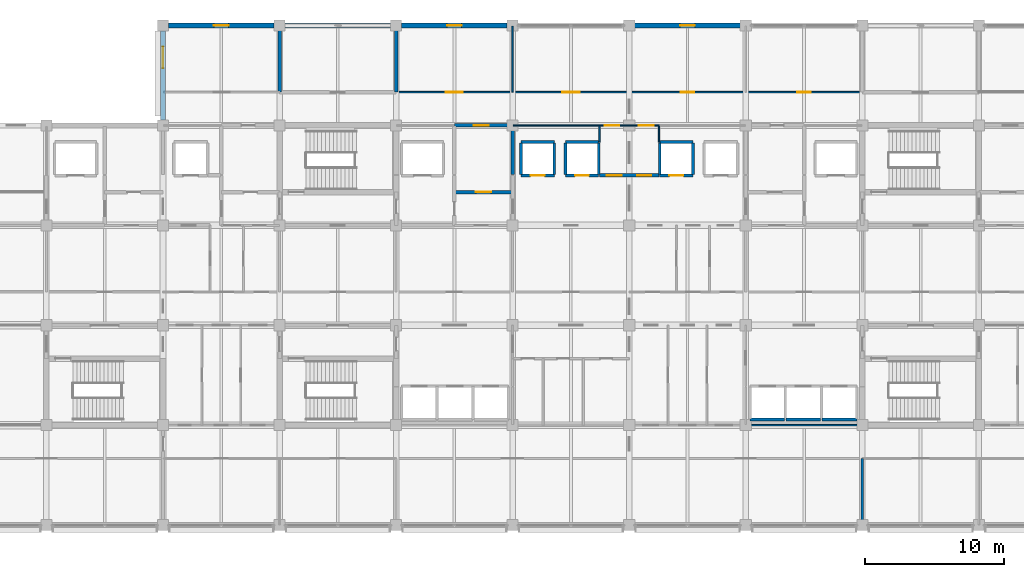
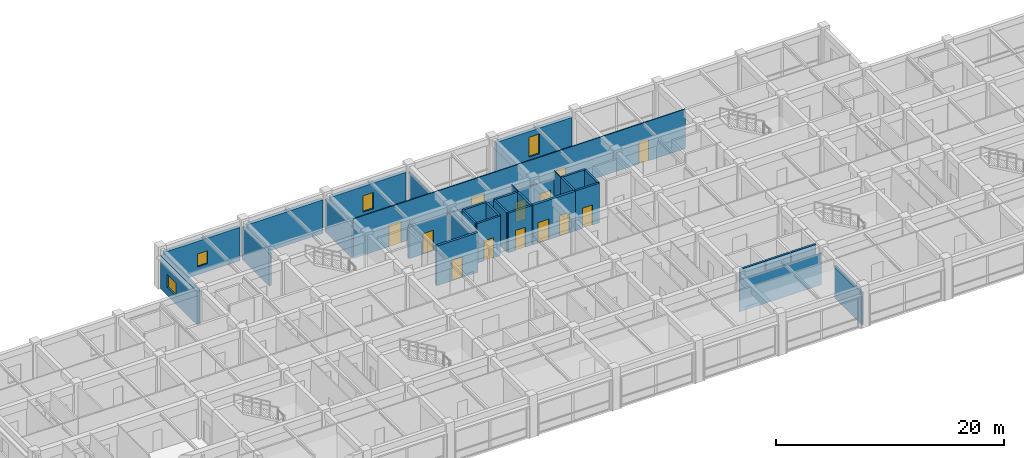
# One storey, part 20 of 30: 34 walls, 13 doors, 4 windows, 17 openings.
"""IFC4 building model written with IfcOpenShell, lengths in metres."""

from ifc_helpers import new_model, si_unit, direction, frame, frame_2d, origin, place, context, subcontext, project, spatial, rectangle, extrude, material, layer, layer_set, type_object, element, fill, save


model = new_model("IFC4")

# Units and contexts
model_context = context("Model", 3, precision=1e-05, world=origin(), true_north=direction((0.0, 1.0)))
body_context = subcontext(model_context, "Body", "Model", "MODEL_VIEW")
ifc_project = project(units=[si_unit("LENGTHUNIT", "METRE"), si_unit("AREAUNIT", "SQUARE_METRE"), si_unit("VOLUMEUNIT", "CUBIC_METRE"), si_unit("PLANEANGLEUNIT", "RADIAN"), si_unit("MASSUNIT", "GRAM", prefix="KILO")], contexts=[model_context])

# Site, building, storey
site_placement = place(None, origin())
site = spatial("IfcSite", under=ifc_project, at=site_placement, CompositionType="ELEMENT")
building_placement = place(site_placement, origin())
building = spatial("IfcBuilding", under=site, at=building_placement, Name="Chengyuan Square Courthouse", CompositionType="ELEMENT")
storey_placement = place(building_placement, frame((0.0, 0.0, 26.10009765625)))
storey = spatial("IfcBuildingStorey", under=building, at=storey_placement, Name="L06", CompositionType="ELEMENT", Elevation=26.10009765625)

# Wall, opening, window
ifc_material_1 = material(Name="Concrete C40", Category="concrete")
ifc_layer_1 = layer(ifc_material_1, 0.35009765625)
ifc_layer_set_1 = layer_set([ifc_layer_1], Name="Concrete C40")
wall_type_1 = type_object("IfcWallType", Name="WL-EW2", PredefinedType="STANDARD", material=ifc_layer_set_1)
wall_1_placement = place(storey_placement, frame((50.794921875, 115.199951171875, 0.0), z_axis=(0.0, 0.0, 1.0), x_axis=(1.0, 0.0, 0.0)))
wall_1 = element("IfcWall", 1, at=wall_1_placement, inside=storey, type_object=wall_type_1, Name="Exterior Wall WL-L06-E364", PredefinedType="STANDARD", context=body_context, shape_type="SweptSolid", body=[
    extrude(rectangle(XDim=7.610107421875, YDim=0.35009765625, at=frame_2d((3.80517578125, 0.0))), origin(), (0.0, 0.0, 1.0), 3.58984375),
])
opening_1_placement = place(wall_1_placement, frame((3.280029296875, 0.0, 0.85009765625)))
opening_1 = element("IfcOpeningElement", 2, at=opening_1_placement, cuts=wall_1, Name="Opening WN-129", PredefinedType="OPENING", context=body_context, shape_type="SweptSolid", body=[
    extrude(rectangle(XDim=1.050048828125, YDim=1.3798828125, at=frame_2d((0.52490234375, 0.68994140625))), frame((0.0, 0.18701171875, 0.0), z_axis=(0.0, -1.0, 0.0), x_axis=(1.0, 0.0, 0.0)), (0.0, 0.0, 1.0), 0.3740234375),
])
ifc_material_2 = material(Name="Thermally Broken Aluminium Triple Low-E Window", Category="aluminium")
window_type_1 = type_object("IfcWindowType", Name="WT-08", PartitioningType="SINGLE_PANEL", PredefinedType="WINDOW", material=ifc_material_2)
window_1_placement = place(opening_1_placement, origin())
window_1 = element("IfcWindow", 3, at=window_1_placement, inside=storey, type_object=window_type_1, Name="Facade Window WN-129", OverallHeight=1.3798828125, OverallWidth=1.050048828125, PartitioningType="SINGLE_PANEL", PredefinedType="WINDOW", context=body_context, shape_type="SweptSolid", body=[
    extrude(rectangle(XDim=1.050048828125, YDim=1.3798828125, at=frame_2d((0.52490234375, 0.68994140625))), frame((0.0, 0.030029296875, 0.0), z_axis=(0.0, -1.0, 0.0), x_axis=(1.0, 0.0, 0.0)), (0.0, 0.0, 1.0), 0.06005859375),
])
fill(opening_1, window_1)

wall_2_placement = place(storey_placement, frame((50.39990234375, 108.39501953125, 0.0), z_axis=(0.0, 0.0, 1.0), x_axis=(0.0, 1.0, 0.0)))
wall_2 = element("IfcWall", 4, at=wall_2_placement, inside=storey, type_object=wall_type_1, Name="Exterior Wall WL-L06-E365", PredefinedType="STANDARD", context=body_context, shape_type="SweptSolid", body=[
    extrude(rectangle(XDim=6.409912109375, YDim=0.35009765625, at=frame_2d((3.205078125, 0.0))), origin(), (0.0, 0.0, 1.0), 3.58984375),
])
opening_2_placement = place(wall_2_placement, frame((3.72998046875, 0.0, 0.85009765625)))
opening_2 = element("IfcOpeningElement", 5, at=opening_2_placement, cuts=wall_2, Name="Opening WN-130", PredefinedType="OPENING", context=body_context, shape_type="SweptSolid", body=[
    extrude(rectangle(XDim=1.550048828125, YDim=1.3798828125, at=frame_2d((0.77490234375, 0.68994140625))), frame((0.0, 0.18701171875, 0.0), z_axis=(0.0, -1.0, 0.0), x_axis=(1.0, 0.0, 0.0)), (0.0, 0.0, 1.0), 0.3740234375),
])
window_type_2 = type_object("IfcWindowType", Name="WT-26", PartitioningType="SINGLE_PANEL", PredefinedType="WINDOW", material=ifc_material_2)
window_2_placement = place(opening_2_placement, origin())
window_2 = element("IfcWindow", 6, at=window_2_placement, inside=storey, type_object=window_type_2, Name="Facade Window WN-130", OverallHeight=1.3798828125, OverallWidth=1.550048828125, PartitioningType="SINGLE_PANEL", PredefinedType="WINDOW", context=body_context, shape_type="SweptSolid", body=[
    extrude(rectangle(XDim=1.550048828125, YDim=1.3798828125, at=frame_2d((0.77490234375, 0.68994140625))), frame((0.0, 0.030029296875, 0.0), z_axis=(0.0, -1.0, 0.0), x_axis=(1.0, 0.0, 0.0)), (0.0, 0.0, 1.0), 0.06005859375),
])
fill(opening_2, window_2)

# Wall
wall_3_placement = place(storey_placement, frame((59.195068359375, 115.199951171875, 0.0), z_axis=(0.0, 0.0, 1.0), x_axis=(1.0, 0.0, 0.0)))
element("IfcWall", 7, at=wall_3_placement, inside=storey, type_object=wall_type_1, Name="Exterior Wall WL-L06-E366", PredefinedType="STANDARD", context=body_context, shape_type="SweptSolid", body=[
    extrude(rectangle(XDim=7.60986328125, YDim=0.35009765625, at=frame_2d((3.804931640625, 0.0))), origin(), (0.0, 0.0, 1.0), 3.58984375),
])

# Wall, opening, window
wall_4_placement = place(storey_placement, frame((67.594970703125, 115.199951171875, 0.0), z_axis=(0.0, 0.0, 1.0), x_axis=(1.0, 0.0, 0.0)))
wall_4 = element("IfcWall", 8, at=wall_4_placement, inside=storey, type_object=wall_type_1, Name="Exterior Wall WL-L06-E367", PredefinedType="STANDARD", context=body_context, shape_type="SweptSolid", body=[
    extrude(rectangle(XDim=7.610107421875, YDim=0.35009765625, at=frame_2d((3.80517578125, 0.0))), origin(), (0.0, 0.0, 1.0), 3.58984375),
])
opening_3_placement = place(wall_4_placement, frame((3.280029296875, 0.0, 0.85009765625)))
opening_3 = element("IfcOpeningElement", 9, at=opening_3_placement, cuts=wall_4, Name="Opening WN-131", PredefinedType="OPENING", context=body_context, shape_type="SweptSolid", body=[
    extrude(rectangle(XDim=1.050048828125, YDim=1.739990234375, at=frame_2d((0.52490234375, 0.8701171875))), frame((0.0, 0.18701171875, 0.0), z_axis=(0.0, -1.0, 0.0), x_axis=(1.0, 0.0, 0.0)), (0.0, 0.0, 1.0), 0.3740234375),
])
window_type_3 = type_object("IfcWindowType", Name="WT-10", PartitioningType="SINGLE_PANEL", PredefinedType="WINDOW", material=ifc_material_2)
window_3_placement = place(opening_3_placement, origin())
window_3 = element("IfcWindow", 10, at=window_3_placement, inside=storey, type_object=window_type_3, Name="Facade Window WN-131", OverallHeight=1.739990234375, OverallWidth=1.050048828125, PartitioningType="SINGLE_PANEL", PredefinedType="WINDOW", context=body_context, shape_type="SweptSolid", body=[
    extrude(rectangle(XDim=1.050048828125, YDim=1.739990234375, at=frame_2d((0.52490234375, 0.8701171875))), frame((0.0, 0.030029296875, 0.0), z_axis=(0.0, -1.0, 0.0), x_axis=(1.0, 0.0, 0.0)), (0.0, 0.0, 1.0), 0.06005859375),
])
fill(opening_3, window_3)

wall_5_placement = place(storey_placement, frame((84.39501953125, 115.199951171875, 0.0), z_axis=(0.0, 0.0, 1.0), x_axis=(1.0, 0.0, 0.0)))
wall_5 = element("IfcWall", 11, at=wall_5_placement, inside=storey, type_object=wall_type_1, Name="Exterior Wall WL-L06-E368", PredefinedType="STANDARD", context=body_context, shape_type="SweptSolid", body=[
    extrude(rectangle(XDim=7.60986328125, YDim=0.35009765625, at=frame_2d((3.804931640625, 0.0))), origin(), (0.0, 0.0, 1.0), 3.58984375),
])
opening_4_placement = place(wall_5_placement, frame((3.280029296875, 0.0, 0.85009765625)))
opening_4 = element("IfcOpeningElement", 12, at=opening_4_placement, cuts=wall_5, Name="Opening WN-132", PredefinedType="OPENING", context=body_context, shape_type="SweptSolid", body=[
    extrude(rectangle(XDim=1.050048828125, YDim=2.1201171875, at=frame_2d((0.52490234375, 1.06005859375))), frame((0.0, 0.18701171875, 0.0), z_axis=(0.0, -1.0, 0.0), x_axis=(1.0, 0.0, 0.0)), (0.0, 0.0, 1.0), 0.3740234375),
])
window_type_4 = type_object("IfcWindowType", Name="WT-12", PartitioningType="SINGLE_PANEL", PredefinedType="WINDOW", material=ifc_material_2)
window_4_placement = place(opening_4_placement, origin())
window_4 = element("IfcWindow", 13, at=window_4_placement, inside=storey, type_object=window_type_4, Name="Facade Window WN-132", OverallHeight=2.1201171875, OverallWidth=1.050048828125, PartitioningType="SINGLE_PANEL", PredefinedType="WINDOW", context=body_context, shape_type="SweptSolid", body=[
    extrude(rectangle(XDim=1.050048828125, YDim=2.1201171875, at=frame_2d((0.52490234375, 1.06005859375))), frame((0.0, 0.030029296875, 0.0), z_axis=(0.0, -1.0, 0.0), x_axis=(1.0, 0.0, 0.0)), (0.0, 0.0, 1.0), 0.06005859375),
])
fill(opening_4, window_4)

# Wall, opening, door
ifc_layer_2 = layer(ifc_material_1, 0.25)
ifc_layer_set_2 = layer_set([ifc_layer_2], Name="Concrete C40")
wall_type_2 = type_object("IfcWallType", Name="WL-FW1", PredefinedType="STANDARD", material=ifc_layer_set_2)
wall_6_placement = place(storey_placement, frame((71.39990234375, 103.199951171875, 0.0), z_axis=(0.0, 0.0, 1.0), x_axis=(1.0, 0.0, 0.0)))
wall_6 = element("IfcWall", 14, at=wall_6_placement, inside=storey, type_object=wall_type_2, Name="Interior Wall WL-L06-I2433", PredefinedType="STANDARD", context=body_context, shape_type="SweptSolid", body=[
    extrude(rectangle(XDim=4.2001953125, YDim=0.25, at=frame_2d((2.10009765625, 0.0))), origin(), (0.0, 0.0, 1.0), 4.239990234375),
])
opening_5_placement = place(wall_6_placement, frame((1.550048828125, 0.0, 0.0)))
opening_5 = element("IfcOpeningElement", 15, at=opening_5_placement, cuts=wall_6, Name="Opening DR-2136", PredefinedType="OPENING", context=body_context, shape_type="SweptSolid", body=[
    extrude(rectangle(XDim=1.10009765625, YDim=2.199951171875, at=frame_2d((0.550048828125, 1.10009765625))), frame((0.0, 0.136962890625, 0.0), z_axis=(0.0, -1.0, 0.0), x_axis=(1.0, 0.0, 0.0)), (0.0, 0.0, 1.0), 0.27392578125),
])
ifc_material_3 = material(Name="Steel Q235B Fire Door", Category="steel")
door_type_1 = type_object("IfcDoorType", Name="DT-10", OperationType="NOTDEFINED", PredefinedType="DOOR", material=ifc_material_3)
door_1_placement = place(opening_5_placement, origin())
door_1 = element("IfcDoor", 16, at=door_1_placement, inside=storey, type_object=door_type_1, Name="Interior Door DR-2136", OperationType="SINGLE_SWING_RIGHT", OverallHeight=2.199951171875, OverallWidth=1.10009765625, PredefinedType="DOOR", context=body_context, shape_type="SweptSolid", body=[
    extrude(rectangle(XDim=1.10009765625, YDim=2.199951171875, at=frame_2d((0.550048828125, 1.10009765625))), frame((0.0, 0.02490234375, 0.0), z_axis=(0.0, -1.0, 0.0), x_axis=(1.0, 0.0, 0.0)), (0.0, 0.0, 1.0), 0.050048828125),
])
fill(opening_5, door_1)

# Wall, openings, doors
wall_7_placement = place(storey_placement, frame((81.85009765625, 104.39990234375, 0.0), z_axis=(0.0, 0.0, 1.0), x_axis=(1.0, 0.0, 0.0)))
wall_7 = element("IfcWall", 17, at=wall_7_placement, inside=storey, type_object=wall_type_2, Name="Interior Wall WL-L06-I2445", PredefinedType="STANDARD", context=body_context, shape_type="SweptSolid", body=[
    extrude(rectangle(XDim=4.2998046875, YDim=0.25, at=frame_2d((2.14990234375, 0.0))), origin(), (0.0, 0.0, 1.0), 4.239990234375),
])
opening_6_placement = place(wall_7_placement, frame((0.52490234375, 0.0, 0.0)))
opening_6 = element("IfcOpeningElement", 18, at=opening_6_placement, cuts=wall_7, Name="Opening DR-2157", PredefinedType="OPENING", context=body_context, shape_type="SweptSolid", body=[
    extrude(rectangle(XDim=1.10009765625, YDim=2.199951171875, at=frame_2d((0.550048828125, 1.10009765625))), frame((0.0, 0.136962890625, 0.0), z_axis=(0.0, -1.0, 0.0), x_axis=(1.0, 0.0, 0.0)), (0.0, 0.0, 1.0), 0.27392578125),
])
opening_7_placement = place(wall_7_placement, frame((2.72509765625, 0.0, 0.0)))
opening_7 = element("IfcOpeningElement", 19, at=opening_7_placement, cuts=wall_7, Name="Opening DR-2161", PredefinedType="OPENING", context=body_context, shape_type="SweptSolid", body=[
    extrude(rectangle(XDim=1.0, YDim=2.199951171875, at=frame_2d((0.5, 1.10009765625))), frame((0.0, 0.136962890625, 0.0), z_axis=(0.0, -1.0, 0.0), x_axis=(1.0, 0.0, 0.0)), (0.0, 0.0, 1.0), 0.27392578125),
])
door_2_placement = place(opening_6_placement, origin())
door_2 = element("IfcDoor", 20, at=door_2_placement, inside=storey, type_object=door_type_1, Name="Interior Door DR-2157", OperationType="SINGLE_SWING_RIGHT", OverallHeight=2.199951171875, OverallWidth=1.10009765625, PredefinedType="DOOR", context=body_context, shape_type="SweptSolid", body=[
    extrude(rectangle(XDim=1.10009765625, YDim=2.199951171875, at=frame_2d((0.550048828125, 1.10009765625))), frame((0.0, 0.02490234375, 0.0), z_axis=(0.0, -1.0, 0.0), x_axis=(1.0, 0.0, 0.0)), (0.0, 0.0, 1.0), 0.050048828125),
])
fill(opening_6, door_2)
door_type_2 = type_object("IfcDoorType", Name="DT-11", OperationType="NOTDEFINED", PredefinedType="DOOR", material=ifc_material_3)
door_3_placement = place(opening_7_placement, origin())
door_3 = element("IfcDoor", 21, at=door_3_placement, inside=storey, type_object=door_type_2, Name="Interior Door DR-2161", OperationType="SINGLE_SWING_RIGHT", OverallHeight=2.199951171875, OverallWidth=1.0, PredefinedType="DOOR", context=body_context, shape_type="SweptSolid", body=[
    extrude(rectangle(XDim=1.0, YDim=2.199951171875, at=frame_2d((0.5, 1.10009765625))), frame((0.0, 0.02490234375, 0.0), z_axis=(0.0, -1.0, 0.0), x_axis=(1.0, 0.0, 0.0)), (0.0, 0.0, 1.0), 0.050048828125),
])
fill(opening_7, door_3)

# Wall, opening, door
wall_8_placement = place(storey_placement, frame((71.39990234375, 108.0, 0.0), z_axis=(0.0, 0.0, 1.0), x_axis=(1.0, 0.0, 0.0)))
wall_8 = element("IfcWall", 22, at=wall_8_placement, inside=storey, type_object=wall_type_2, Name="Interior Wall WL-L06-I2466", PredefinedType="STANDARD", context=body_context, shape_type="SweptSolid", body=[
    extrude(rectangle(XDim=4.2001953125, YDim=0.25, at=frame_2d((2.10009765625, 0.0))), origin(), (0.0, 0.0, 1.0), 3.389892578125),
])
opening_8_placement = place(wall_8_placement, frame((1.389892578125, 0.0, 0.0)))
opening_8 = element("IfcOpeningElement", 23, at=opening_8_placement, cuts=wall_8, Name="Opening DR-2139", PredefinedType="OPENING", context=body_context, shape_type="SweptSolid", body=[
    extrude(rectangle(XDim=1.10009765625, YDim=2.199951171875, at=frame_2d((0.550048828125, 1.10009765625))), frame((0.0, 0.136962890625, 0.0), z_axis=(0.0, -1.0, 0.0), x_axis=(1.0, 0.0, 0.0)), (0.0, 0.0, 1.0), 0.27392578125),
])
door_4_placement = place(opening_8_placement, origin())
door_4 = element("IfcDoor", 24, at=door_4_placement, inside=storey, type_object=door_type_1, Name="Interior Door DR-2139", OperationType="SINGLE_SWING_LEFT", OverallHeight=2.199951171875, OverallWidth=1.10009765625, PredefinedType="DOOR", context=body_context, shape_type="SweptSolid", body=[
    extrude(rectangle(XDim=1.10009765625, YDim=2.199951171875, at=frame_2d((0.550048828125, 1.10009765625))), frame((0.0, 0.02490234375, 0.0), z_axis=(0.0, -1.0, 0.0), x_axis=(1.0, 0.0, 0.0)), (0.0, 0.0, 1.0), 0.050048828125),
])
fill(opening_8, door_4)

# Walls
for number, where, z_axis, x_axis, name in (
    (25, (58.800048828125, 110.39990234375, 0.0), (0.0, 0.0, 1.0), (0.0, 1.0, 0.0), "Interior Wall WL-L06-I2515"),
    (26, (67.199951171875, 110.39990234375, 0.0), (0.0, 0.0, 1.0), (0.0, 1.0, 0.0), "Interior Wall WL-L06-I2524"),
):
    element("IfcWall", number, at=place(storey_placement, frame(where, z_axis=z_axis, x_axis=x_axis)), inside=storey, type_object=wall_type_2, Name=name, PredefinedType="STANDARD", context=body_context, shape_type="SweptSolid", body=[
        extrude(rectangle(XDim=4.760009765625, YDim=0.25, at=frame_2d((2.3798828125, 0.0))), origin(), (0.0, 0.0, 1.0), 3.489990234375),
    ])
wall_9_placement = place(storey_placement, frame((75.60009765625, 104.449951171875, 0.0), z_axis=(0.0, 0.0, 1.0), x_axis=(0.0, 1.0, 0.0)))
element("IfcWall", 27, at=wall_9_placement, inside=storey, type_object=wall_type_2, Name="Interior Wall WL-L06-I2538", PredefinedType="STANDARD", context=body_context, shape_type="SweptSolid", body=[
    extrude(rectangle(XDim=3.5, YDim=0.25, at=frame_2d((1.75, 0.0))), origin(), (0.0, 0.0, 1.0), 3.489990234375),
])
ifc_material_4 = material(Name="Acoustic Timber-Lined Gypsum Partition", Category="wood")
ifc_layer_3 = layer(ifc_material_4, 0.159912109375)
ifc_layer_set_3 = layer_set([ifc_layer_3], Name="Acoustic Timber-Lined Gypsum Partition")
wall_type_3 = type_object("IfcWallType", Name="WL-PT2", PredefinedType="STANDARD", material=ifc_layer_set_3)
wall_10_placement = place(storey_placement, frame((100.800048828125, 79.239990234375, 0.0), z_axis=(0.0, 0.0, 1.0), x_axis=(0.0, 1.0, 0.0)))
element("IfcWall", 28, at=wall_10_placement, inside=storey, type_object=wall_type_3, Name="Interior Wall WL-L06-I2571", PredefinedType="STANDARD", context=body_context, shape_type="SweptSolid", body=[
    extrude(rectangle(XDim=4.760009765625, YDim=0.159912109375, at=frame_2d((2.3798828125, 0.0))), origin(), (0.0, 0.0, 1.0), 3.489990234375),
])
ifc_material_5 = material(Name="Gypsum Plasterboard Acoustic Stud Partition")
ifc_layer_4 = layer(ifc_material_5, 0.10009765625)
ifc_layer_set_4 = layer_set([ifc_layer_4], Name="Gypsum Plasterboard Acoustic Stud Partition")
wall_type_4 = type_object("IfcWallType", Name="WL-PT6", PredefinedType="STANDARD", material=ifc_layer_set_4)
wall_11_placement = place(storey_placement, frame((92.449951171875, 86.39990234375, 0.0), z_axis=(0.0, 0.0, 1.0), x_axis=(1.0, 0.0, 0.0)))
element("IfcWall", 29, at=wall_11_placement, inside=storey, type_object=wall_type_4, Name="Interior Wall WL-L06-I2373", PredefinedType="STANDARD", context=body_context, shape_type="SweptSolid", body=[
    extrude(rectangle(XDim=8.300048828125, YDim=0.10009765625, at=frame_2d((4.14990234375, 0.0))), origin(), (0.0, 0.0, 1.0), 3.389892578125),
])
wall_12_placement = place(storey_placement, frame((75.64990234375, 108.0, 0.0), z_axis=(0.0, 0.0, 1.0), x_axis=(1.0, 0.0, 0.0)))
element("IfcWall", 30, at=wall_12_placement, inside=storey, type_object=wall_type_4, Name="Interior Wall WL-L06-I2467", PredefinedType="STANDARD", context=body_context, shape_type="SweptSolid", body=[
    extrude(rectangle(XDim=6.150146484375, YDim=0.10009765625, at=frame_2d((3.0751953125, 0.0))), origin(), (0.0, 0.0, 1.0), 3.389892578125),
])

# Wall, openings, doors
wall_13_placement = place(storey_placement, frame((81.85009765625, 108.0, 0.0), z_axis=(0.0, 0.0, 1.0), x_axis=(1.0, 0.0, 0.0)))
wall_13 = element("IfcWall", 31, at=wall_13_placement, inside=storey, type_object=wall_type_4, Name="Interior Wall WL-L06-I2468", PredefinedType="STANDARD", context=body_context, shape_type="SweptSolid", body=[
    extrude(rectangle(XDim=4.2998046875, YDim=0.10009765625, at=frame_2d((2.14990234375, 0.0))), origin(), (0.0, 0.0, 1.0), 3.389892578125),
])
opening_9_placement = place(wall_13_placement, frame((0.39501953125, 0.0, 0.0)))
opening_9 = element("IfcOpeningElement", 32, at=opening_9_placement, cuts=wall_13, Name="Opening DR-2277", PredefinedType="OPENING", context=body_context, shape_type="SweptSolid", body=[
    extrude(rectangle(XDim=1.0400390625, YDim=2.199951171875, at=frame_2d((0.52001953125, 1.10009765625))), frame((0.0, 0.06201171875, 0.0), z_axis=(0.0, -1.0, 0.0), x_axis=(1.0, 0.0, 0.0)), (0.0, 0.0, 1.0), 0.1240234375),
])
opening_10_placement = place(wall_13_placement, frame((2.844970703125, 0.0, 0.0)))
opening_10 = element("IfcOpeningElement", 33, at=opening_10_placement, cuts=wall_13, Name="Opening DR-2278", PredefinedType="OPENING", context=body_context, shape_type="SweptSolid", body=[
    extrude(rectangle(XDim=1.080078125, YDim=2.25, at=frame_2d((0.5400390625, 1.125))), frame((0.0, 0.06201171875, 0.0), z_axis=(0.0, -1.0, 0.0), x_axis=(1.0, 0.0, 0.0)), (0.0, 0.0, 1.0), 0.1240234375),
])
ifc_material_6 = material(Name="Acoustic Solid-Core Timber Door", Category="wood")
door_type_3 = type_object("IfcDoorType", Name="DT-32", OperationType="NOTDEFINED", PredefinedType="DOOR", material=ifc_material_6)
door_5_placement = place(opening_9_placement, origin())
door_5 = element("IfcDoor", 34, at=door_5_placement, inside=storey, type_object=door_type_3, Name="Interior Door DR-2277", OperationType="SINGLE_SWING_RIGHT", OverallHeight=2.199951171875, OverallWidth=1.0400390625, PredefinedType="DOOR", context=body_context, shape_type="SweptSolid", body=[
    extrude(rectangle(XDim=1.0400390625, YDim=2.199951171875, at=frame_2d((0.52001953125, 1.10009765625))), frame((0.0, 0.02490234375, 0.0), z_axis=(0.0, -1.0, 0.0), x_axis=(1.0, 0.0, 0.0)), (0.0, 0.0, 1.0), 0.050048828125),
])
fill(opening_9, door_5)
door_type_4 = type_object("IfcDoorType", Name="DT-33", OperationType="NOTDEFINED", PredefinedType="DOOR", material=ifc_material_6)
door_6_placement = place(opening_10_placement, origin())
door_6 = element("IfcDoor", 35, at=door_6_placement, inside=storey, type_object=door_type_4, Name="Interior Door DR-2278", OperationType="SINGLE_SWING_LEFT", OverallHeight=2.25, OverallWidth=1.080078125, PredefinedType="DOOR", context=body_context, shape_type="SweptSolid", body=[
    extrude(rectangle(XDim=1.080078125, YDim=2.25, at=frame_2d((0.5400390625, 1.125))), frame((0.0, 0.02490234375, 0.0), z_axis=(0.0, -1.0, 0.0), x_axis=(1.0, 0.0, 0.0)), (0.0, 0.0, 1.0), 0.050048828125),
])
fill(opening_10, door_6)

wall_14_placement = place(storey_placement, frame((67.199951171875, 110.39990234375, 0.0), z_axis=(0.0, 0.0, 1.0), x_axis=(1.0, 0.0, 0.0)))
wall_14 = element("IfcWall", 36, at=wall_14_placement, inside=storey, type_object=wall_type_4, Name="Interior Wall WL-L06-I2477", PredefinedType="STANDARD", context=body_context, shape_type="SweptSolid", body=[
    extrude(rectangle(XDim=33.60009765625, YDim=0.10009765625, at=frame_2d((16.800048828125, 0.0))), origin(), (0.0, 0.0, 1.0), 4.239990234375),
])
opening_11_placement = place(wall_14_placement, frame((3.580078125, 0.0, 0.0)))
opening_11 = element("IfcOpeningElement", 37, at=opening_11_placement, cuts=wall_14, Name="Opening DR-2282", PredefinedType="OPENING", context=body_context, shape_type="SweptSolid", body=[
    extrude(rectangle(XDim=1.239990234375, YDim=2.300048828125, at=frame_2d((0.6201171875, 1.14990234375))), frame((0.0, 0.06201171875, 0.0), z_axis=(0.0, -1.0, 0.0), x_axis=(1.0, 0.0, 0.0)), (0.0, 0.0, 1.0), 0.1240234375),
])
opening_12_placement = place(wall_14_placement, frame((11.9599609375, 0.0, 0.0)))
opening_12 = element("IfcOpeningElement", 38, at=opening_12_placement, cuts=wall_14, Name="Opening DR-2283", PredefinedType="OPENING", context=body_context, shape_type="SweptSolid", body=[
    extrude(rectangle(XDim=1.280029296875, YDim=2.35009765625, at=frame_2d((0.64013671875, 1.175048828125))), frame((0.0, 0.06201171875, 0.0), z_axis=(0.0, -1.0, 0.0), x_axis=(1.0, 0.0, 0.0)), (0.0, 0.0, 1.0), 0.1240234375),
])
opening_13_placement = place(wall_14_placement, frame((20.530029296875, 0.0, 0.0)))
opening_13 = element("IfcOpeningElement", 39, at=opening_13_placement, cuts=wall_14, Name="Opening DR-2284", PredefinedType="OPENING", context=body_context, shape_type="SweptSolid", body=[
    extrude(rectangle(XDim=0.93994140625, YDim=2.300048828125, at=frame_2d((0.469970703125, 1.14990234375))), frame((0.0, 0.06201171875, 0.0), z_axis=(0.0, -1.0, 0.0), x_axis=(1.0, 0.0, 0.0)), (0.0, 0.0, 1.0), 0.1240234375),
])
opening_14_placement = place(wall_14_placement, frame((28.909912109375, 0.0, 0.0)))
opening_14 = element("IfcOpeningElement", 40, at=opening_14_placement, cuts=wall_14, Name="Opening DR-2285", PredefinedType="OPENING", context=body_context, shape_type="SweptSolid", body=[
    extrude(rectangle(XDim=0.97998046875, YDim=2.35009765625, at=frame_2d((0.489990234375, 1.175048828125))), frame((0.0, 0.06201171875, 0.0), z_axis=(0.0, -1.0, 0.0), x_axis=(1.0, 0.0, 0.0)), (0.0, 0.0, 1.0), 0.1240234375),
])
door_type_5 = type_object("IfcDoorType", Name="DT-37", OperationType="NOTDEFINED", PredefinedType="DOOR", material=ifc_material_6)
door_7_placement = place(opening_11_placement, origin())
door_7 = element("IfcDoor", 41, at=door_7_placement, inside=storey, type_object=door_type_5, Name="Interior Door DR-2282", OperationType="SINGLE_SWING_LEFT", OverallHeight=2.300048828125, OverallWidth=1.239990234375, PredefinedType="DOOR", context=body_context, shape_type="SweptSolid", body=[
    extrude(rectangle(XDim=1.239990234375, YDim=2.300048828125, at=frame_2d((0.6201171875, 1.14990234375))), frame((0.0, 0.02490234375, 0.0), z_axis=(0.0, -1.0, 0.0), x_axis=(1.0, 0.0, 0.0)), (0.0, 0.0, 1.0), 0.050048828125),
])
fill(opening_11, door_7)
door_type_6 = type_object("IfcDoorType", Name="DT-38", OperationType="NOTDEFINED", PredefinedType="DOOR", material=ifc_material_6)
door_8_placement = place(opening_12_placement, origin())
door_8 = element("IfcDoor", 42, at=door_8_placement, inside=storey, type_object=door_type_6, Name="Interior Door DR-2283", OperationType="SINGLE_SWING_RIGHT", OverallHeight=2.35009765625, OverallWidth=1.280029296875, PredefinedType="DOOR", context=body_context, shape_type="SweptSolid", body=[
    extrude(rectangle(XDim=1.280029296875, YDim=2.35009765625, at=frame_2d((0.64013671875, 1.175048828125))), frame((0.0, 0.02490234375, 0.0), z_axis=(0.0, -1.0, 0.0), x_axis=(1.0, 0.0, 0.0)), (0.0, 0.0, 1.0), 0.050048828125),
])
fill(opening_12, door_8)
door_type_7 = type_object("IfcDoorType", Name="DT-39", OperationType="NOTDEFINED", PredefinedType="DOOR", material=ifc_material_6)
door_9_placement = place(opening_13_placement, origin())
door_9 = element("IfcDoor", 43, at=door_9_placement, inside=storey, type_object=door_type_7, Name="Interior Door DR-2284", OperationType="SINGLE_SWING_LEFT", OverallHeight=2.300048828125, OverallWidth=0.93994140625, PredefinedType="DOOR", context=body_context, shape_type="SweptSolid", body=[
    extrude(rectangle(XDim=0.93994140625, YDim=2.300048828125, at=frame_2d((0.469970703125, 1.14990234375))), frame((0.0, 0.02490234375, 0.0), z_axis=(0.0, -1.0, 0.0), x_axis=(1.0, 0.0, 0.0)), (0.0, 0.0, 1.0), 0.050048828125),
])
fill(opening_13, door_9)
door_type_8 = type_object("IfcDoorType", Name="DT-40", OperationType="NOTDEFINED", PredefinedType="DOOR", material=ifc_material_6)
door_10_placement = place(opening_14_placement, origin())
door_10 = element("IfcDoor", 44, at=door_10_placement, inside=storey, type_object=door_type_8, Name="Interior Door DR-2285", OperationType="SINGLE_SWING_RIGHT", OverallHeight=2.35009765625, OverallWidth=0.97998046875, PredefinedType="DOOR", context=body_context, shape_type="SweptSolid", body=[
    extrude(rectangle(XDim=0.97998046875, YDim=2.35009765625, at=frame_2d((0.489990234375, 1.175048828125))), frame((0.0, 0.02490234375, 0.0), z_axis=(0.0, -1.0, 0.0), x_axis=(1.0, 0.0, 0.0)), (0.0, 0.0, 1.0), 0.050048828125),
])
fill(opening_14, door_10)

# Walls
wall_15_placement = place(storey_placement, frame((75.60009765625, 110.39990234375, 0.0), z_axis=(0.0, 0.0, 1.0), x_axis=(0.0, 1.0, 0.0)))
element("IfcWall", 45, at=wall_15_placement, inside=storey, type_object=wall_type_4, Name="Interior Wall WL-L06-I2539", PredefinedType="STANDARD", context=body_context, shape_type="SweptSolid", body=[
    extrude(rectangle(XDim=4.760009765625, YDim=0.10009765625, at=frame_2d((2.3798828125, 0.0))), origin(), (0.0, 0.0, 1.0), 3.489990234375),
])
for number, where, z_axis, x_axis, name in (
    (46, (81.85009765625, 106.800048828125, 0.0), (0.0, 0.0, 1.0), (0.0, 1.0, 0.0), "Interior Wall WL-L06-I2546"),
    (47, (86.14990234375, 106.800048828125, 0.0), (0.0, 0.0, 1.0), (0.0, 1.0, 0.0), "Interior Wall WL-L06-I2548"),
):
    element("IfcWall", number, at=place(storey_placement, frame(where, z_axis=z_axis, x_axis=x_axis)), inside=storey, type_object=wall_type_4, Name=name, PredefinedType="STANDARD", context=body_context, shape_type="SweptSolid", body=[
        extrude(rectangle(XDim=1.14990234375, YDim=0.10009765625, at=frame_2d((0.574951171875, 0.0))), origin(), (0.0, 0.0, 1.0), 4.239990234375),
    ])
ifc_material_7 = material(Name="Reinforced Masonry Shaft Enclosure", Category="masonry")
ifc_layer_5 = layer(ifc_material_7, 0.199951171875)
ifc_layer_set_5 = layer_set([ifc_layer_5], Name="Reinforced Masonry Shaft Enclosure")
wall_type_5 = type_object("IfcWallType", Name="WL-SH1", PredefinedType="STANDARD", material=ifc_layer_set_5)
for number, where, z_axis, x_axis, name in (
    (48, (92.699951171875, 86.800048828125, 0.0), (0.0, 0.0, 1.0), (1.0, 0.0, 0.0), "Interior Wall WL-L06-I2381"),
    (49, (95.300048828125, 86.800048828125, 0.0), (0.0, 0.0, 1.0), (1.0, 0.0, 0.0), "Interior Wall WL-L06-I2382"),
    (50, (97.89990234375, 86.800048828125, 0.0), (0.0, 0.0, 1.0), (1.0, 0.0, 0.0), "Interior Wall WL-L06-I2383"),
):
    element("IfcWall", number, at=place(storey_placement, frame(where, z_axis=z_axis, x_axis=x_axis)), inside=storey, type_object=wall_type_5, Name=name, PredefinedType="STANDARD", context=body_context, shape_type="SweptSolid", body=[
        extrude(rectangle(XDim=2.5, YDim=0.199951171875, at=frame_2d((1.25, 0.0))), origin(), (0.0, 0.0, 1.0), 4.239990234375),
    ])

# Wall, opening, door
wall_16_placement = place(storey_placement, frame((76.199951171875, 104.39990234375, 0.0), z_axis=(0.0, 0.0, 1.0), x_axis=(1.0, 0.0, 0.0)))
wall_16 = element("IfcWall", 51, at=wall_16_placement, inside=storey, type_object=wall_type_5, Name="Interior Wall WL-L06-I2443", PredefinedType="STANDARD", context=body_context, shape_type="SweptSolid", body=[
    extrude(rectangle(XDim=2.400146484375, YDim=0.199951171875, at=frame_2d((1.2001953125, 0.0))), origin(), (0.0, 0.0, 1.0), 4.239990234375),
])
opening_15_placement = place(wall_16_placement, frame((0.699951171875, 0.0, 0.0)))
opening_15 = element("IfcOpeningElement", 52, at=opening_15_placement, cuts=wall_16, Name="Opening LD-105", PredefinedType="OPENING", context=body_context, shape_type="SweptSolid", body=[
    extrude(rectangle(XDim=1.0, YDim=2.14990234375, at=frame_2d((0.5, 1.074951171875))), frame((0.0, 0.112060546875, 0.0), z_axis=(0.0, -1.0, 0.0), x_axis=(1.0, 0.0, 0.0)), (0.0, 0.0, 1.0), 0.223876953125),
])
ifc_material_8 = material(Name="Stainless Steel S30408 Lift Landing Door", Category="steel")
door_type_9 = type_object("IfcDoorType", Name="DT-07", OperationType="DOUBLE_DOOR_SLIDING", PredefinedType="DOOR", material=ifc_material_8)
door_11_placement = place(opening_15_placement, origin())
door_11 = element("IfcDoor", 53, at=door_11_placement, inside=storey, type_object=door_type_9, Name="Lift Landing Door LF-J1 L06", OperationType="DOUBLE_DOOR_SLIDING", OverallHeight=2.14990234375, OverallWidth=1.0, PredefinedType="DOOR", context=body_context, shape_type="SweptSolid", body=[
    extrude(rectangle(XDim=1.0, YDim=2.14990234375, at=frame_2d((0.5, 1.074951171875))), frame((0.0, 0.02490234375, 0.0), z_axis=(0.0, -1.0, 0.0), x_axis=(1.0, 0.0, 0.0)), (0.0, 0.0, 1.0), 0.050048828125),
])
fill(opening_15, door_11)

wall_17_placement = place(storey_placement, frame((79.39990234375, 104.39990234375, 0.0), z_axis=(0.0, 0.0, 1.0), x_axis=(1.0, 0.0, 0.0)))
wall_17 = element("IfcWall", 54, at=wall_17_placement, inside=storey, type_object=wall_type_5, Name="Interior Wall WL-L06-I2444", PredefinedType="STANDARD", context=body_context, shape_type="SweptSolid", body=[
    extrude(rectangle(XDim=2.400146484375, YDim=0.199951171875, at=frame_2d((1.2001953125, 0.0))), origin(), (0.0, 0.0, 1.0), 4.239990234375),
])
opening_16_placement = place(wall_17_placement, frame((0.699951171875, 0.0, 0.0)))
opening_16 = element("IfcOpeningElement", 55, at=opening_16_placement, cuts=wall_17, Name="Opening LD-106", PredefinedType="OPENING", context=body_context, shape_type="SweptSolid", body=[
    extrude(rectangle(XDim=1.0, YDim=2.14990234375, at=frame_2d((0.5, 1.074951171875))), frame((0.0, 0.112060546875, 0.0), z_axis=(0.0, -1.0, 0.0), x_axis=(1.0, 0.0, 0.0)), (0.0, 0.0, 1.0), 0.223876953125),
])
door_12_placement = place(opening_16_placement, origin())
door_12 = element("IfcDoor", 56, at=door_12_placement, inside=storey, type_object=door_type_9, Name="Lift Landing Door LF-J2 L06", OperationType="DOUBLE_DOOR_SLIDING", OverallHeight=2.14990234375, OverallWidth=1.0, PredefinedType="DOOR", context=body_context, shape_type="SweptSolid", body=[
    extrude(rectangle(XDim=1.0, YDim=2.14990234375, at=frame_2d((0.5, 1.074951171875))), frame((0.0, 0.02490234375, 0.0), z_axis=(0.0, -1.0, 0.0), x_axis=(1.0, 0.0, 0.0)), (0.0, 0.0, 1.0), 0.050048828125),
])
fill(opening_16, door_12)

wall_18_placement = place(storey_placement, frame((86.199951171875, 104.39990234375, 0.0), z_axis=(0.0, 0.0, 1.0), x_axis=(1.0, 0.0, 0.0)))
wall_18 = element("IfcWall", 57, at=wall_18_placement, inside=storey, type_object=wall_type_5, Name="Interior Wall WL-L06-I2446", PredefinedType="STANDARD", context=body_context, shape_type="SweptSolid", body=[
    extrude(rectangle(XDim=2.400146484375, YDim=0.199951171875, at=frame_2d((1.2001953125, 0.0))), origin(), (0.0, 0.0, 1.0), 4.239990234375),
])
opening_17_placement = place(wall_18_placement, frame((0.699951171875, 0.0, 0.0)))
opening_17 = element("IfcOpeningElement", 58, at=opening_17_placement, cuts=wall_18, Name="Opening LD-107", PredefinedType="OPENING", context=body_context, shape_type="SweptSolid", body=[
    extrude(rectangle(XDim=1.0, YDim=2.14990234375, at=frame_2d((0.5, 1.074951171875))), frame((0.0, 0.112060546875, 0.0), z_axis=(0.0, -1.0, 0.0), x_axis=(1.0, 0.0, 0.0)), (0.0, 0.0, 1.0), 0.223876953125),
])
door_13_placement = place(opening_17_placement, origin())
door_13 = element("IfcDoor", 59, at=door_13_placement, inside=storey, type_object=door_type_9, Name="Lift Landing Door LF-J3 L06", OperationType="DOUBLE_DOOR_SLIDING", OverallHeight=2.14990234375, OverallWidth=1.0, PredefinedType="DOOR", context=body_context, shape_type="SweptSolid", body=[
    extrude(rectangle(XDim=1.0, YDim=2.14990234375, at=frame_2d((0.5, 1.074951171875))), frame((0.0, 0.02490234375, 0.0), z_axis=(0.0, -1.0, 0.0), x_axis=(1.0, 0.0, 0.0)), (0.0, 0.0, 1.0), 0.050048828125),
])
fill(opening_17, door_13)

# Walls
for number, where, z_axis, x_axis, name in (
    (60, (76.199951171875, 106.800048828125, 0.0), (0.0, 0.0, 1.0), (1.0, 0.0, 0.0), "Interior Wall WL-L06-I2455"),
    (61, (79.39990234375, 106.800048828125, 0.0), (0.0, 0.0, 1.0), (1.0, 0.0, 0.0), "Interior Wall WL-L06-I2456"),
    (62, (86.199951171875, 106.800048828125, 0.0), (0.0, 0.0, 1.0), (1.0, 0.0, 0.0), "Interior Wall WL-L06-I2457"),
):
    element("IfcWall", number, at=place(storey_placement, frame(where, z_axis=z_axis, x_axis=x_axis)), inside=storey, type_object=wall_type_5, Name=name, PredefinedType="STANDARD", context=body_context, shape_type="SweptSolid", body=[
        extrude(rectangle(XDim=2.400146484375, YDim=0.199951171875, at=frame_2d((1.2001953125, 0.0))), origin(), (0.0, 0.0, 1.0), 4.239990234375),
    ])
for number, where, z_axis, x_axis, name in (
    (63, (76.199951171875, 104.449951171875, 0.0), (0.0, 0.0, 1.0), (0.0, 1.0, 0.0), "Interior Wall WL-L06-I2540"),
    (64, (78.60009765625, 104.449951171875, 0.0), (0.0, 0.0, 1.0), (0.0, 1.0, 0.0), "Interior Wall WL-L06-I2542"),
    (65, (79.39990234375, 104.449951171875, 0.0), (0.0, 0.0, 1.0), (0.0, 1.0, 0.0), "Interior Wall WL-L06-I2543"),
    (66, (81.800048828125, 104.449951171875, 0.0), (0.0, 0.0, 1.0), (0.0, 1.0, 0.0), "Interior Wall WL-L06-I2545"),
    (67, (86.199951171875, 104.449951171875, 0.0), (0.0, 0.0, 1.0), (0.0, 1.0, 0.0), "Interior Wall WL-L06-I2549"),
    (68, (88.60009765625, 104.449951171875, 0.0), (0.0, 0.0, 1.0), (0.0, 1.0, 0.0), "Interior Wall WL-L06-I2552"),
):
    element("IfcWall", number, at=place(storey_placement, frame(where, z_axis=z_axis, x_axis=x_axis)), inside=storey, type_object=wall_type_5, Name=name, PredefinedType="STANDARD", context=body_context, shape_type="SweptSolid", body=[
        extrude(rectangle(XDim=2.300048828125, YDim=0.199951171875, at=frame_2d((1.14990234375, 0.0))), origin(), (0.0, 0.0, 1.0), 4.239990234375),
    ])

save(model, "model.ifc")
